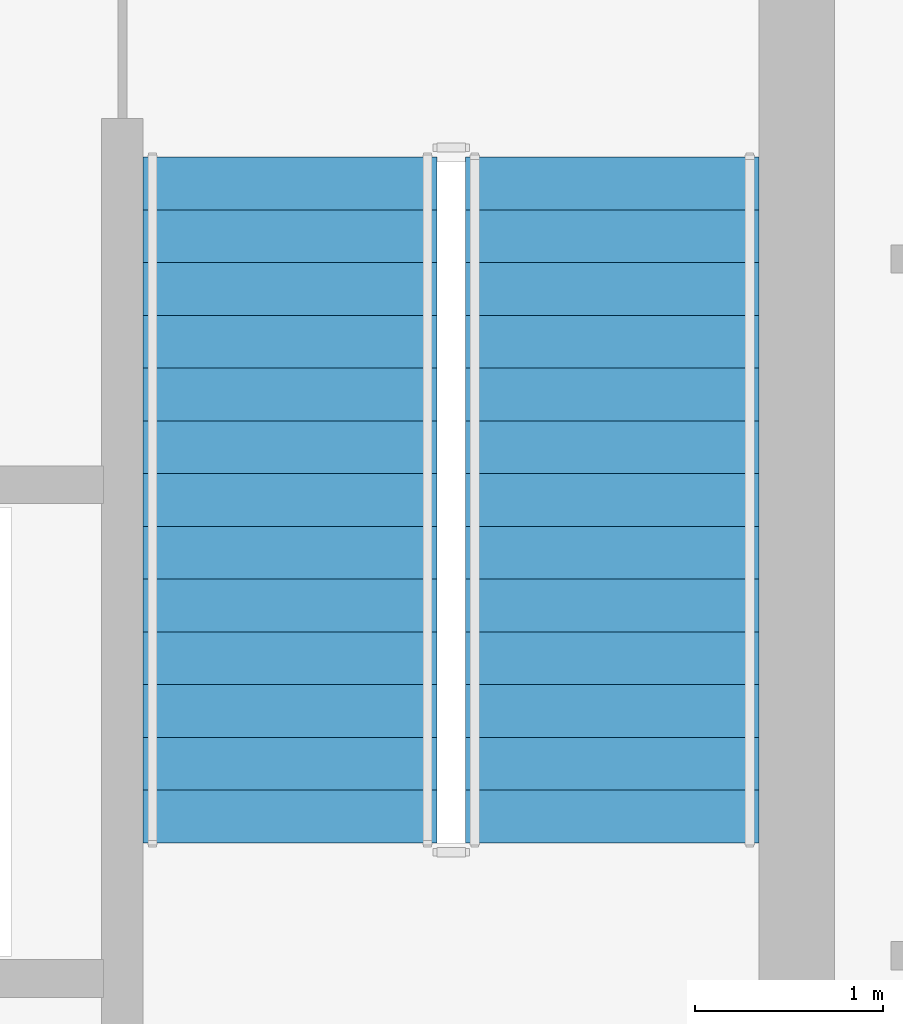
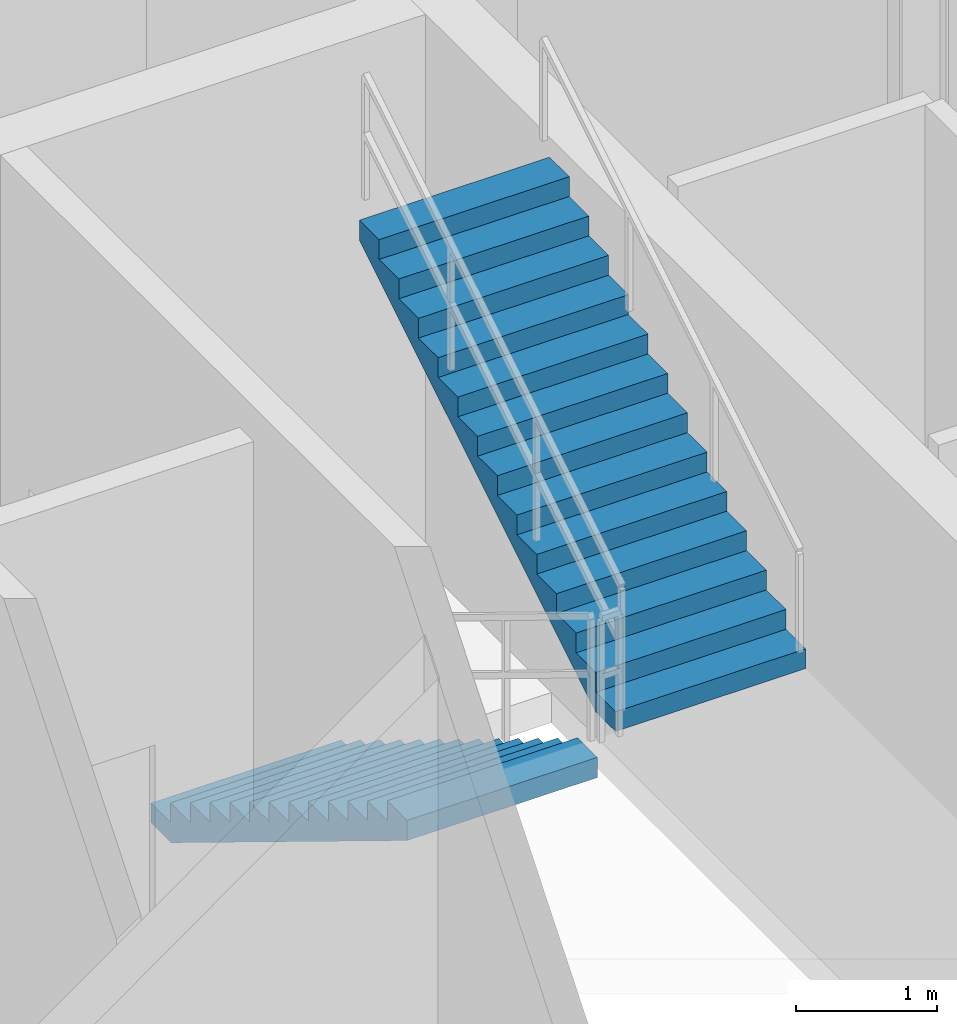
# One storey, part 9 of 10: 2 stair flights, 1 element without a shape of its own.
"""IFC4 building model written with IfcOpenShell, lengths in metres."""

from ifc_helpers import new_model, si_unit, direction, frame, origin, place, context, subcontext, project, spatial, polyline, outline, extrude, material, type_object, element, aggregate, save


model = new_model("IFC4")

# Units and contexts
model_context = context("Model", 3, precision=1e-05, world=origin(), true_north=direction((0.0, 1.0)))
body_context = subcontext(model_context, "Body", "Model", "MODEL_VIEW")
ifc_project = project(units=[si_unit("LENGTHUNIT", "METRE"), si_unit("AREAUNIT", "SQUARE_METRE"), si_unit("VOLUMEUNIT", "CUBIC_METRE"), si_unit("PLANEANGLEUNIT", "RADIAN"), si_unit("MASSUNIT", "GRAM", prefix="KILO")], contexts=[model_context])

# Site, building, storey
site_placement = place(None, origin())
site = spatial("IfcSite", under=ifc_project, at=site_placement, CompositionType="ELEMENT")
building_placement = place(site_placement, origin())
building = spatial("IfcBuilding", under=site, at=building_placement, Name="Breltana Convention Tower", CompositionType="ELEMENT")
storey_placement = place(building_placement, frame((0.0, 0.0, 307.800048828125)))
storey = spatial("IfcBuildingStorey", under=building, at=storey_placement, Name="L75", CompositionType="ELEMENT", Elevation=307.800048828125)

# Stair, stair flights
ifc_material = material(Name="Concrete C40/50", Category="concrete")
stair_type = type_object("IfcStairType", Name="ST-DOG-1560-R171", PredefinedType="HALF_TURN_STAIR", material=ifc_material)
stair_placement = place(storey_placement, origin())
stair = element("IfcStair", 1, at=stair_placement, inside=storey, type_object=stair_type, Name="L75 Protected Core Exit Stair ST-2", PredefinedType="HALF_TURN_STAIR")
stair_flight_type = type_object("IfcStairFlightType", Name="STF-DOG-1560-N14-R171", PredefinedType="STRAIGHT", material=ifc_material)
stair_flight_1_placement = place(storey_placement, frame((56.31005859375, 70.0400390625, 0.0), z_axis=(0.0, 0.0, 1.0), x_axis=(0.0, -1.0, 0.0)))
stair_flight_1 = element("IfcStairFlight", 2, at=stair_flight_1_placement, type_object=stair_flight_type, Name="ST-2 flight 1", NumberOfRisers=14, NumberOfTreads=13, PredefinedType="STRAIGHT", RiserHeight=0.171428571, TreadLength=0.28, context=body_context, shape_type="SweptSolid", body=[
    extrude(outline(polyline([(0.0, 0.0), (0.0, 0.17138671875), (0.280029296875, 0.17138671875), (0.280029296875, 0.3427734375), (0.56005859375, 0.3427734375), (0.56005859375, 0.514404296875), (0.840087890625, 0.514404296875), (0.840087890625, 0.685791015625), (1.1201171875, 0.685791015625), (1.1201171875, 0.857177734375), (1.39990234375, 0.857177734375), (1.39990234375, 1.028564453125), (1.679931640625, 1.028564453125), (1.679931640625, 1.199951171875), (1.9599609375, 1.199951171875), (1.9599609375, 1.371337890625), (2.239990234375, 1.371337890625), (2.239990234375, 1.54296875), (2.52001953125, 1.54296875), (2.52001953125, 1.71435546875), (2.800048828125, 1.71435546875), (2.800048828125, 1.8857421875), (3.080078125, 1.8857421875), (3.080078125, 2.05712890625), (3.360107421875, 2.05712890625), (3.360107421875, 2.228515625), (3.639892578125, 2.228515625), (3.639892578125, 2.39990234375), (3.639892578125, 2.052734375), (0.287109375, 0.0), (0.0, 0.0)])), frame((0.0, 0.780029296875, 0.0), z_axis=(0.0, -1.0, 0.0), x_axis=(1.0, 0.0, 0.0)), (0.0, 0.0, 1.0), 1.56005859375),
])
stair_flight_2_placement = place(storey_placement, frame((58.02001953125, 66.39990234375, 2.39990234375), z_axis=(0.0, 0.0, 1.0), x_axis=(0.0, 1.0, 0.0)))
stair_flight_2 = element("IfcStairFlight", 3, at=stair_flight_2_placement, type_object=stair_flight_type, Name="ST-2 flight 2", NumberOfRisers=14, NumberOfTreads=13, PredefinedType="STRAIGHT", RiserHeight=0.171428571, TreadLength=0.28, context=body_context, shape_type="SweptSolid", body=[
    extrude(outline(polyline([(0.0, 0.0), (0.0, 0.17138671875), (0.280029296875, 0.17138671875), (0.280029296875, 0.3427734375), (0.56005859375, 0.3427734375), (0.56005859375, 0.514404296875), (0.840087890625, 0.514404296875), (0.840087890625, 0.685791015625), (1.1201171875, 0.685791015625), (1.1201171875, 0.857177734375), (1.39990234375, 0.857177734375), (1.39990234375, 1.028564453125), (1.679931640625, 1.028564453125), (1.679931640625, 1.199951171875), (1.9599609375, 1.199951171875), (1.9599609375, 1.371337890625), (2.239990234375, 1.371337890625), (2.239990234375, 1.54296875), (2.52001953125, 1.54296875), (2.52001953125, 1.71435546875), (2.800048828125, 1.71435546875), (2.800048828125, 1.8857421875), (3.080078125, 1.8857421875), (3.080078125, 2.05712890625), (3.360107421875, 2.05712890625), (3.360107421875, 2.228515625), (3.639892578125, 2.228515625), (3.639892578125, 2.39990234375), (3.639892578125, 2.052734375), (0.287109375, 0.0), (0.0, 0.0)])), frame((0.0, 0.780029296875, 0.0), z_axis=(0.0, -1.0, 0.0), x_axis=(1.0, 0.0, 0.0)), (0.0, 0.0, 1.0), 1.56005859375),
])
aggregate(stair, [stair_flight_1, stair_flight_2])

save(model, "model.ifc")
